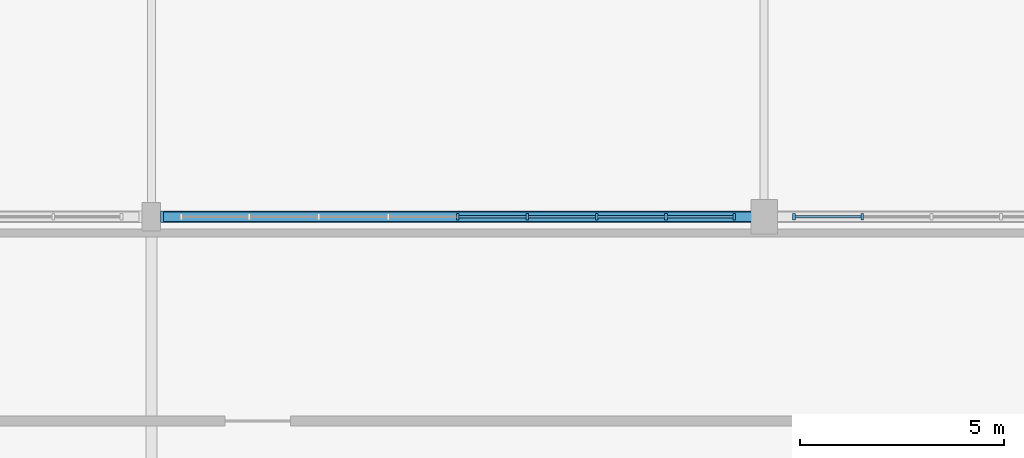
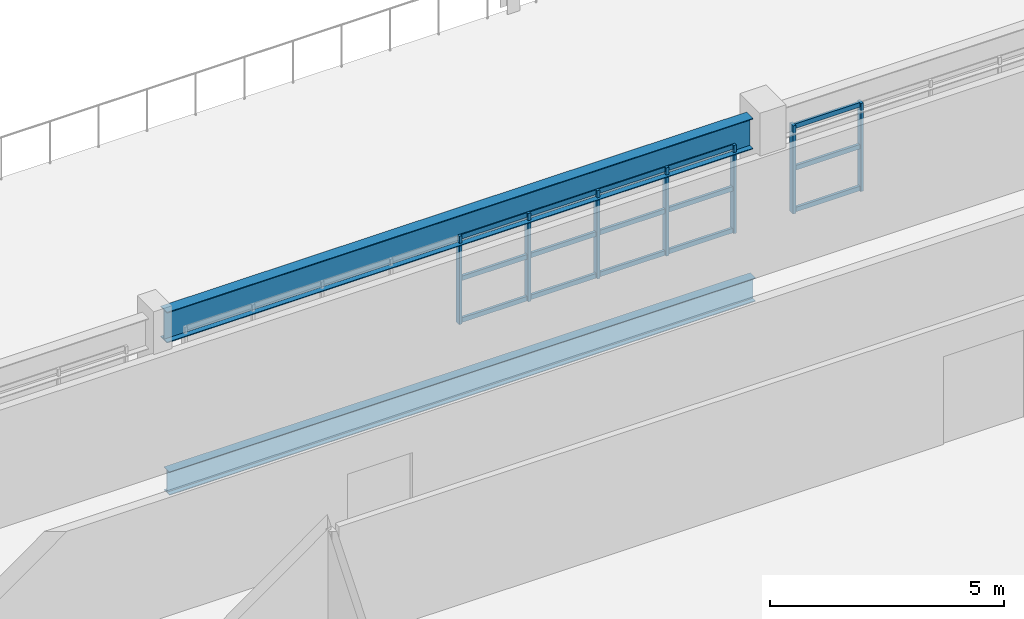
# One storey, part 10 of 92: 22 members, 2 beams, 2 elements without a shape of their own.
"""IFC4 building model written with IfcOpenShell, lengths in metres."""

from ifc_helpers import new_model, si_unit, direction, frame, origin, origin_2d, place, context, subcontext, project, spatial, rectangle, i_section, extrude, material, material_profile, profile_set, type_object, element, aggregate, save


model = new_model("IFC4")

# Units and contexts
model_context = context("Model", 3, precision=1e-05, world=origin(), true_north=direction((0.0, 1.0)))
body_context = subcontext(model_context, "Body", "Model", "MODEL_VIEW")
ifc_project = project(units=[si_unit("LENGTHUNIT", "METRE"), si_unit("AREAUNIT", "SQUARE_METRE"), si_unit("VOLUMEUNIT", "CUBIC_METRE"), si_unit("PLANEANGLEUNIT", "RADIAN"), si_unit("MASSUNIT", "GRAM", prefix="KILO")], contexts=[model_context])

# Site, building, storey
site_placement = place(None, origin())
site = spatial("IfcSite", under=ifc_project, at=site_placement, CompositionType="ELEMENT")
building_placement = place(site_placement, origin())
building = spatial("IfcBuilding", under=site, at=building_placement, Name="Solanera Park Tramway Depot", CompositionType="ELEMENT")
storey_placement = place(building_placement, frame((0.0, 0.0, 4.800048828125)))
storey = spatial("IfcBuildingStorey", under=building, at=storey_placement, Name="L01", CompositionType="ELEMENT", Elevation=4.800048828125)

# Curtain wall, members
ifc_material_1 = material(Name="Bronze-anodised thermally broken aluminium curtain wall", Category="aluminium")
curtain_wall_type = type_object("IfcCurtainWallType", Name="Workshop Daylight Ribbon Curtain Wall", PredefinedType="NOTDEFINED", material=ifc_material_1)
curtain_wall_1_placement = place(storey_placement, origin())
curtain_wall_1 = element("IfcCurtainWall", 1, at=curtain_wall_1_placement, inside=storey, type_object=curtain_wall_type, Name="L01 Workshop Daylight Ribbon Curtain Wall #145", PredefinedType="NOTDEFINED")
ifc_material_2 = material(Name="Bronze-anodised structural aluminium 6063-T6", Category="aluminium")
ifc_material_profile_1 = material_profile(ifc_material_2, rectangle(XDim=0.06494140625, YDim=0.14990234375, at=origin_2d()), Name="Curtain Wall Mullion 65x150")
ifc_profile_set_1 = profile_set([ifc_material_profile_1], Name="Bronze-anodised structural aluminium 6063-T6")
member_type_1 = type_object("IfcMemberType", Name="Curtain Wall Mullion 65x150", PredefinedType="MULLION", material=ifc_profile_set_1)
member_1_placement = place(storey_placement, frame((37.5, 32.39990234375, 1.0), z_axis=(0.0, 0.0, 1.0), x_axis=(1.0, 0.0, 0.0)))
member_1 = element("IfcMember", 2, at=member_1_placement, type_object=member_type_1, Name="CW-L01-145 Mullion 5", PredefinedType="MULLION", context=body_context, shape_type="SweptSolid", body=[
    extrude(rectangle(XDim=0.06494140625, YDim=0.14990234375, at=origin_2d()), origin(), (0.0, 0.0, 1.0), 2.300048828125),
])
member_2_placement = place(storey_placement, frame((39.199951171875, 32.39990234375, 1.0), z_axis=(0.0, 0.0, 1.0), x_axis=(1.0, 0.0, 0.0)))
member_2 = element("IfcMember", 3, at=member_2_placement, type_object=member_type_1, Name="CW-L01-145 Mullion 6", PredefinedType="MULLION", context=body_context, shape_type="SweptSolid", body=[
    extrude(rectangle(XDim=0.06494140625, YDim=0.14990234375, at=origin_2d()), origin(), (0.0, 0.0, 1.0), 2.300048828125),
])
member_3_placement = place(storey_placement, frame((40.89990234375, 32.39990234375, 1.0), z_axis=(0.0, 0.0, 1.0), x_axis=(1.0, 0.0, 0.0)))
member_3 = element("IfcMember", 4, at=member_3_placement, type_object=member_type_1, Name="CW-L01-145 Mullion 7", PredefinedType="MULLION", context=body_context, shape_type="SweptSolid", body=[
    extrude(rectangle(XDim=0.06494140625, YDim=0.14990234375, at=origin_2d()), origin(), (0.0, 0.0, 1.0), 2.300048828125),
])
member_4_placement = place(storey_placement, frame((42.60009765625, 32.39990234375, 1.0), z_axis=(0.0, 0.0, 1.0), x_axis=(1.0, 0.0, 0.0)))
member_4 = element("IfcMember", 5, at=member_4_placement, type_object=member_type_1, Name="CW-L01-145 Mullion 8", PredefinedType="MULLION", context=body_context, shape_type="SweptSolid", body=[
    extrude(rectangle(XDim=0.06494140625, YDim=0.14990234375, at=origin_2d()), origin(), (0.0, 0.0, 1.0), 2.300048828125),
])
member_5_placement = place(storey_placement, frame((44.267578125, 32.39990234375, 1.0), z_axis=(0.0, 0.0, 1.0), x_axis=(1.0, 0.0, 0.0)))
member_5 = element("IfcMember", 6, at=member_5_placement, type_object=member_type_1, Name="CW-L01-145 Mullion 9", PredefinedType="MULLION", context=body_context, shape_type="SweptSolid", body=[
    extrude(rectangle(XDim=0.06494140625, YDim=0.14990234375, at=origin_2d()), origin(), (0.0, 0.0, 1.0), 2.300048828125),
])

curtain_wall_2_placement = place(storey_placement, origin())
curtain_wall_2 = element("IfcCurtainWall", 7, at=curtain_wall_2_placement, inside=storey, type_object=curtain_wall_type, Name="L01 Workshop Daylight Ribbon Curtain Wall #147", PredefinedType="NOTDEFINED")
member_6_placement = place(storey_placement, frame((45.732421875, 32.39990234375, 1.0), z_axis=(0.0, 0.0, 1.0), x_axis=(1.0, 0.0, 0.0)))
member_6 = element("IfcMember", 8, at=member_6_placement, type_object=member_type_1, Name="CW-L01-147 Mullion 1", PredefinedType="MULLION", context=body_context, shape_type="SweptSolid", body=[
    extrude(rectangle(XDim=0.06494140625, YDim=0.14990234375, at=origin_2d()), origin(), (0.0, 0.0, 1.0), 2.300048828125),
])
member_7_placement = place(storey_placement, frame((47.39990234375, 32.39990234375, 1.0), z_axis=(0.0, 0.0, 1.0), x_axis=(1.0, 0.0, 0.0)))
member_7 = element("IfcMember", 9, at=member_7_placement, type_object=member_type_1, Name="CW-L01-147 Mullion 2", PredefinedType="MULLION", context=body_context, shape_type="SweptSolid", body=[
    extrude(rectangle(XDim=0.06494140625, YDim=0.14990234375, at=origin_2d()), origin(), (0.0, 0.0, 1.0), 2.300048828125),
])

# Member
ifc_material_3 = material(Name="Bronze-anodised structural aluminium 6063-T6", Category="aluminium")
ifc_material_profile_2 = material_profile(ifc_material_3, rectangle(XDim=0.06494140625, YDim=0.1201171875, at=origin_2d()), Name="Curtain Wall Transom 65x120")
ifc_profile_set_2 = profile_set([ifc_material_profile_2], Name="Bronze-anodised structural aluminium 6063-T6")
member_type_2 = type_object("IfcMemberType", Name="Curtain Wall Transom 65x120", PredefinedType="USERDEFINED", material=ifc_profile_set_2)
member_8_placement = place(storey_placement, frame((37.528076171875, 32.39990234375, 1.06005859375), z_axis=(1.0, 0.0, 0.0), x_axis=(0.0, 1.0, 0.0)))
member_8 = element("IfcMember", 10, at=member_8_placement, type_object=member_type_2, Name="CW-L01-145 Transom R1.C5", ObjectType="TRANSOM", PredefinedType="USERDEFINED", context=body_context, shape_type="SweptSolid", body=[
    extrude(rectangle(XDim=0.06494140625, YDim=0.1201171875, at=origin_2d()), origin(), (0.0, 0.0, 1.0), 1.64404296875),
])

member_9_placement = place(storey_placement, frame((39.22802734375, 32.39990234375, 1.06005859375), z_axis=(1.0, 0.0, 0.0), x_axis=(0.0, 1.0, 0.0)))
member_9 = element("IfcMember", 11, at=member_9_placement, type_object=member_type_2, Name="CW-L01-145 Transom R1.C6", ObjectType="TRANSOM", PredefinedType="USERDEFINED", context=body_context, shape_type="SweptSolid", body=[
    extrude(rectangle(XDim=0.06494140625, YDim=0.1201171875, at=origin_2d()), origin(), (0.0, 0.0, 1.0), 1.64404296875),
])

member_10_placement = place(storey_placement, frame((40.927978515625, 32.39990234375, 1.06005859375), z_axis=(1.0, 0.0, 0.0), x_axis=(0.0, 1.0, 0.0)))
member_10 = element("IfcMember", 12, at=member_10_placement, type_object=member_type_2, Name="CW-L01-145 Transom R1.C7", ObjectType="TRANSOM", PredefinedType="USERDEFINED", context=body_context, shape_type="SweptSolid", body=[
    extrude(rectangle(XDim=0.06494140625, YDim=0.1201171875, at=origin_2d()), origin(), (0.0, 0.0, 1.0), 1.64404296875),
])

member_11_placement = place(storey_placement, frame((42.6279296875, 32.39990234375, 1.06005859375), z_axis=(1.0, 0.0, 0.0), x_axis=(0.0, 1.0, 0.0)))
member_11 = element("IfcMember", 13, at=member_11_placement, type_object=member_type_2, Name="CW-L01-145 Transom R1.C8", ObjectType="TRANSOM", PredefinedType="USERDEFINED", context=body_context, shape_type="SweptSolid", body=[
    extrude(rectangle(XDim=0.06494140625, YDim=0.1201171875, at=origin_2d()), origin(), (0.0, 0.0, 1.0), 1.611572265625),
])

member_12_placement = place(storey_placement, frame((37.528076171875, 32.39990234375, 2.14990234375), z_axis=(1.0, 0.0, 0.0), x_axis=(0.0, 1.0, 0.0)))
member_12 = element("IfcMember", 14, at=member_12_placement, type_object=member_type_2, Name="CW-L01-145 Transom R2.C5", ObjectType="TRANSOM", PredefinedType="USERDEFINED", context=body_context, shape_type="SweptSolid", body=[
    extrude(rectangle(XDim=0.06494140625, YDim=0.1201171875, at=origin_2d()), origin(), (0.0, 0.0, 1.0), 1.64404296875),
])

member_13_placement = place(storey_placement, frame((39.22802734375, 32.39990234375, 2.14990234375), z_axis=(1.0, 0.0, 0.0), x_axis=(0.0, 1.0, 0.0)))
member_13 = element("IfcMember", 15, at=member_13_placement, type_object=member_type_2, Name="CW-L01-145 Transom R2.C6", ObjectType="TRANSOM", PredefinedType="USERDEFINED", context=body_context, shape_type="SweptSolid", body=[
    extrude(rectangle(XDim=0.06494140625, YDim=0.1201171875, at=origin_2d()), origin(), (0.0, 0.0, 1.0), 1.64404296875),
])

member_14_placement = place(storey_placement, frame((40.927978515625, 32.39990234375, 2.14990234375), z_axis=(1.0, 0.0, 0.0), x_axis=(0.0, 1.0, 0.0)))
member_14 = element("IfcMember", 16, at=member_14_placement, type_object=member_type_2, Name="CW-L01-145 Transom R2.C7", ObjectType="TRANSOM", PredefinedType="USERDEFINED", context=body_context, shape_type="SweptSolid", body=[
    extrude(rectangle(XDim=0.06494140625, YDim=0.1201171875, at=origin_2d()), origin(), (0.0, 0.0, 1.0), 1.64404296875),
])

member_15_placement = place(storey_placement, frame((42.6279296875, 32.39990234375, 2.14990234375), z_axis=(1.0, 0.0, 0.0), x_axis=(0.0, 1.0, 0.0)))
member_15 = element("IfcMember", 17, at=member_15_placement, type_object=member_type_2, Name="CW-L01-145 Transom R2.C8", ObjectType="TRANSOM", PredefinedType="USERDEFINED", context=body_context, shape_type="SweptSolid", body=[
    extrude(rectangle(XDim=0.06494140625, YDim=0.1201171875, at=origin_2d()), origin(), (0.0, 0.0, 1.0), 1.611572265625),
])

member_16_placement = place(storey_placement, frame((37.528076171875, 32.39990234375, 3.239990234375), z_axis=(1.0, 0.0, 0.0), x_axis=(0.0, 1.0, 0.0)))
member_16 = element("IfcMember", 18, at=member_16_placement, type_object=member_type_2, Name="CW-L01-145 Transom R3.C5", ObjectType="TRANSOM", PredefinedType="USERDEFINED", context=body_context, shape_type="SweptSolid", body=[
    extrude(rectangle(XDim=0.06494140625, YDim=0.1201171875, at=origin_2d()), origin(), (0.0, 0.0, 1.0), 1.64404296875),
])

member_17_placement = place(storey_placement, frame((39.22802734375, 32.39990234375, 3.239990234375), z_axis=(1.0, 0.0, 0.0), x_axis=(0.0, 1.0, 0.0)))
member_17 = element("IfcMember", 19, at=member_17_placement, type_object=member_type_2, Name="CW-L01-145 Transom R3.C6", ObjectType="TRANSOM", PredefinedType="USERDEFINED", context=body_context, shape_type="SweptSolid", body=[
    extrude(rectangle(XDim=0.06494140625, YDim=0.1201171875, at=origin_2d()), origin(), (0.0, 0.0, 1.0), 1.64404296875),
])

member_18_placement = place(storey_placement, frame((40.927978515625, 32.39990234375, 3.239990234375), z_axis=(1.0, 0.0, 0.0), x_axis=(0.0, 1.0, 0.0)))
member_18 = element("IfcMember", 20, at=member_18_placement, type_object=member_type_2, Name="CW-L01-145 Transom R3.C7", ObjectType="TRANSOM", PredefinedType="USERDEFINED", context=body_context, shape_type="SweptSolid", body=[
    extrude(rectangle(XDim=0.06494140625, YDim=0.1201171875, at=origin_2d()), origin(), (0.0, 0.0, 1.0), 1.64404296875),
])

member_19_placement = place(storey_placement, frame((42.6279296875, 32.39990234375, 3.239990234375), z_axis=(1.0, 0.0, 0.0), x_axis=(0.0, 1.0, 0.0)))
member_19 = element("IfcMember", 21, at=member_19_placement, type_object=member_type_2, Name="CW-L01-145 Transom R3.C8", ObjectType="TRANSOM", PredefinedType="USERDEFINED", context=body_context, shape_type="SweptSolid", body=[
    extrude(rectangle(XDim=0.06494140625, YDim=0.1201171875, at=origin_2d()), origin(), (0.0, 0.0, 1.0), 1.611572265625),
])

aggregate(curtain_wall_1, [member_1, member_2, member_3, member_4, member_5, member_8, member_9, member_10, member_11, member_12, member_13, member_14, member_15, member_16, member_17, member_18, member_19])

member_20_placement = place(storey_placement, frame((45.760498046875, 32.39990234375, 1.06005859375), z_axis=(1.0, 0.0, 0.0), x_axis=(0.0, 1.0, 0.0)))
member_20 = element("IfcMember", 22, at=member_20_placement, type_object=member_type_2, Name="CW-L01-147 Transom R1.C1", ObjectType="TRANSOM", PredefinedType="USERDEFINED", context=body_context, shape_type="SweptSolid", body=[
    extrude(rectangle(XDim=0.06494140625, YDim=0.1201171875, at=origin_2d()), origin(), (0.0, 0.0, 1.0), 1.611572265625),
])

member_21_placement = place(storey_placement, frame((45.760498046875, 32.39990234375, 2.14990234375), z_axis=(1.0, 0.0, 0.0), x_axis=(0.0, 1.0, 0.0)))
member_21 = element("IfcMember", 23, at=member_21_placement, type_object=member_type_2, Name="CW-L01-147 Transom R2.C1", ObjectType="TRANSOM", PredefinedType="USERDEFINED", context=body_context, shape_type="SweptSolid", body=[
    extrude(rectangle(XDim=0.06494140625, YDim=0.1201171875, at=origin_2d()), origin(), (0.0, 0.0, 1.0), 1.611572265625),
])

member_22_placement = place(storey_placement, frame((45.760498046875, 32.39990234375, 3.239990234375), z_axis=(1.0, 0.0, 0.0), x_axis=(0.0, 1.0, 0.0)))
member_22 = element("IfcMember", 24, at=member_22_placement, type_object=member_type_2, Name="CW-L01-147 Transom R3.C1", ObjectType="TRANSOM", PredefinedType="USERDEFINED", context=body_context, shape_type="SweptSolid", body=[
    extrude(rectangle(XDim=0.06494140625, YDim=0.1201171875, at=origin_2d()), origin(), (0.0, 0.0, 1.0), 1.611572265625),
])

aggregate(curtain_wall_2, [member_6, member_7, member_20, member_21, member_22])

# Beams
ifc_material_4 = material(Name="Steel AS/NZS 3679.1 Grade 350", Category="steel")
ifc_material_profile_3 = material_profile(ifc_material_4, i_section(OverallWidth=0.22900390625, OverallDepth=0.611572265625, WebThickness=0.011962890625, FlangeThickness=0.01953125, at=origin_2d()), Name="610UB125")
ifc_profile_set_3 = profile_set([ifc_material_profile_3], Name="Steel AS/NZS 3679.1 Grade 350")
beam_type_1 = type_object("IfcBeamType", Name="Steel Beam 610UB125", PredefinedType="BEAM", material=ifc_profile_set_3)
beam_1_placement = place(storey_placement, frame((30.300048828125, 32.39990234375, -0.60986328125), z_axis=(1.0, 0.0, 0.0), x_axis=(0.0, 1.0, 0.0)))
element("IfcBeam", 25, at=beam_1_placement, inside=storey, type_object=beam_type_1, Name="L01 Primary X-Girder 610UB125 #0016", PredefinedType="BEAM", context=body_context, shape_type="SweptSolid", body=[
    extrude(i_section(OverallWidth=0.22900390625, OverallDepth=0.611572265625, WebThickness=0.011962890625, FlangeThickness=0.01953125, at=origin_2d()), origin(), (0.0, 0.0, 1.0), 14.449951171875),
])
ifc_material_5 = material(Name="Steel AS/NZS 3679.1 Grade 350", Category="steel")
ifc_material_profile_4 = material_profile(ifc_material_5, i_section(OverallWidth=0.27490234375, OverallDepth=0.800048828125, WebThickness=0.010009765625, FlangeThickness=0.02001953125, at=origin_2d()), Name="800WB146")
ifc_profile_set_4 = profile_set([ifc_material_profile_4], Name="Steel AS/NZS 3679.1 Grade 350")
beam_type_2 = type_object("IfcBeamType", Name="Steel Beam 800WB146", PredefinedType="BEAM", material=ifc_profile_set_4)
beam_2_placement = place(storey_placement, frame((30.22509765625, 32.39990234375, 3.494873046875), z_axis=(1.0, 0.0, 0.0), x_axis=(0.0, 1.0, 0.0)))
element("IfcBeam", 26, at=beam_2_placement, inside=storey, type_object=beam_type_2, Name="Bridge Crane Runway Girder 800WB146 #0405", PredefinedType="BEAM", context=body_context, shape_type="SweptSolid", body=[
    extrude(i_section(OverallWidth=0.27490234375, OverallDepth=0.800048828125, WebThickness=0.010009765625, FlangeThickness=0.02001953125, at=origin_2d()), origin(), (0.0, 0.0, 1.0), 14.449951171875),
])

save(model, "model.ifc")
